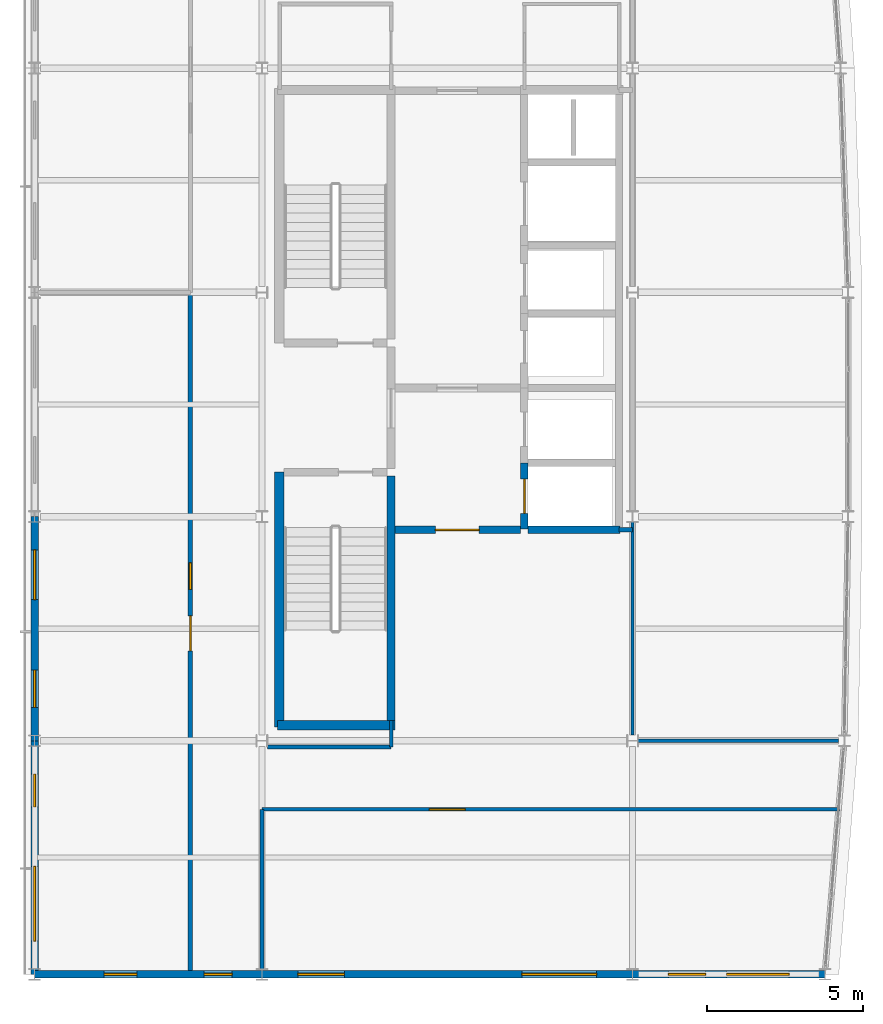
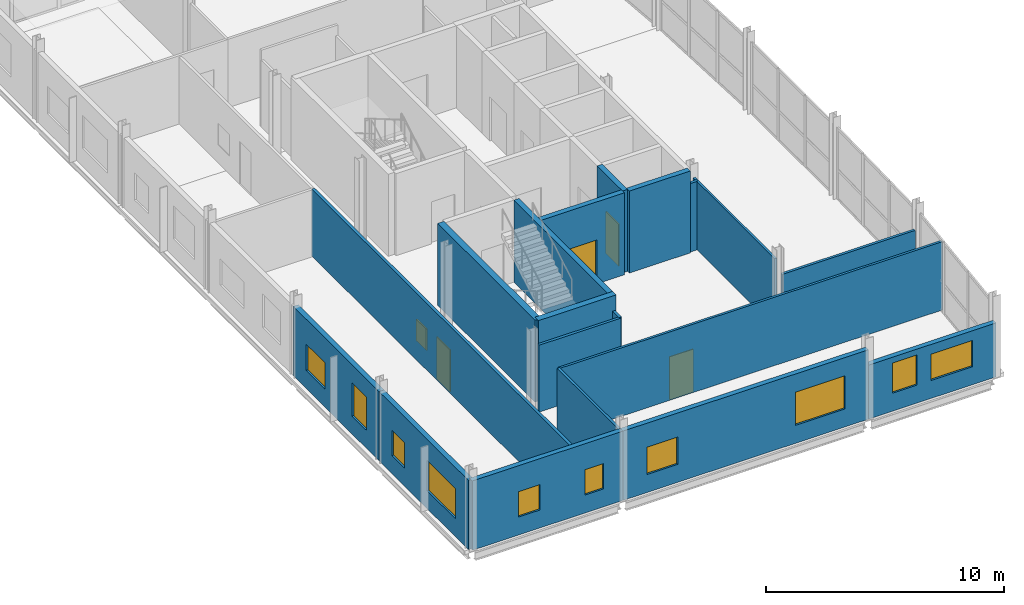
# One storey, part 11 of 16: 19 walls, 11 windows, 4 doors, 15 openings.
"""IFC4 building model written with IfcOpenShell, lengths in metres."""

from ifc_helpers import new_model, si_unit, direction, frame, frame_2d, origin, place, context, subcontext, project, spatial, rectangle, extrude, material, layer, layer_set, type_object, element, fill, save


model = new_model("IFC4")

# Units and contexts
model_context = context("Model", 3, precision=1e-05, world=origin(), true_north=direction((0.0, 1.0)))
body_context = subcontext(model_context, "Body", "Model", "MODEL_VIEW")
ifc_project = project(units=[si_unit("LENGTHUNIT", "METRE"), si_unit("AREAUNIT", "SQUARE_METRE"), si_unit("VOLUMEUNIT", "CUBIC_METRE"), si_unit("PLANEANGLEUNIT", "RADIAN"), si_unit("MASSUNIT", "GRAM", prefix="KILO")], contexts=[model_context])

# Site, building, storey
site_placement = place(None, origin())
site = spatial("IfcSite", under=ifc_project, at=site_placement, CompositionType="ELEMENT")
building_placement = place(site_placement, origin())
building = spatial("IfcBuilding", under=site, at=building_placement, Name="Quillay Park Conservatory", CompositionType="ELEMENT")
storey_placement = place(building_placement, frame((0.0, 0.0, 43.5)))
storey = spatial("IfcBuildingStorey", under=building, at=storey_placement, Name="L10", CompositionType="ELEMENT", Elevation=43.5)

# Wall
ifc_material_1 = material(Name="Steel-Stud Acoustic Gypsum Board Partition", Category="steel")
ifc_layer_1 = layer(ifc_material_1, 0.10009765625)
ifc_layer_set_1 = layer_set([ifc_layer_1], Name="ACOUSTIC GYPSUM PARTITION 100 (Steel-Stud Acoustic Gypsum Board Partition)")
wall_type_1 = type_object("IfcWallType", Name="ACOUSTIC GYPSUM PARTITION 100", PredefinedType="PARTITIONING", material=ifc_layer_set_1)
wall_1_placement = place(storey_placement, frame((19.75, 78.180419921875, 0.0), z_axis=(0.0, 0.0, 1.0), x_axis=(0.0, 1.0, 0.0)))
element("IfcWall", 1, at=wall_1_placement, inside=storey, type_object=wall_type_1, Name="L10 L10 Genomics Bioassay Wet Laboratory West Wall 1", PredefinedType="PARTITIONING", context=body_context, shape_type="SweptSolid", body=[
    extrude(rectangle(XDim=6.842529296875, YDim=0.10009765625, at=frame_2d((3.42138671875, 0.0))), origin(), (0.0, 0.0, 1.0), 3.501953125),
])

# Wall, opening, door
ifc_material_2 = material(Name="Steel-Stud Acoustic Gypsum Board Partition", Category="steel")
ifc_layer_2 = layer(ifc_material_2, 0.114990234375)
ifc_layer_set_2 = layer_set([ifc_layer_2], Name="ACOUSTIC GYPSUM PARTITION 115 (Steel-Stud Acoustic Gypsum Board Partition)")
wall_type_2 = type_object("IfcWallType", Name="ACOUSTIC GYPSUM PARTITION 115", PredefinedType="PARTITIONING", material=ifc_layer_set_2)
wall_2_placement = place(storey_placement, frame((7.85009765625, 75.800048828125, 0.0), z_axis=(0.0, 0.0, 1.0), x_axis=(1.0, 0.0, 0.0)))
wall_2 = element("IfcWall", 2, at=wall_2_placement, inside=storey, type_object=wall_type_2, Name="L10 L10 Transcriptomics Computation Studio North Door Wall", PredefinedType="PARTITIONING", context=body_context, shape_type="SweptSolid", body=[
    extrude(rectangle(XDim=18.56494140625, YDim=0.114990234375, at=frame_2d((9.282470703125, 0.0))), origin(), (0.0, 0.0, 1.0), 3.501953125),
])
opening_1_placement = place(wall_2_placement, frame((5.375, 0.0, 0.0)))
opening_1 = element("IfcOpeningElement", 3, at=opening_1_placement, cuts=wall_2, Name="Opening D-RM17", PredefinedType="OPENING", context=body_context, shape_type="SweptSolid", body=[
    extrude(rectangle(XDim=1.14990234375, YDim=2.199951171875, at=frame_2d((0.574951171875, 1.10009765625))), frame((0.0, 0.0576171875, 0.0), z_axis=(0.0, -1.0, 0.0), x_axis=(1.0, 0.0, 0.0)), (0.0, 0.0, 1.0), 0.114990234375),
])
ifc_material_3 = material(Name="Thermally Broken Anodised Aluminium 6063-T6", Category="aluminium")
door_type_1 = type_object("IfcDoorType", Name="SINGLE SWING DOOR 1150 X2200", OperationType="NOTDEFINED", PredefinedType="DOOR", material=ifc_material_3)
door_1_placement = place(opening_1_placement, origin())
door_1 = element("IfcDoor", 4, at=door_1_placement, inside=storey, type_object=door_type_1, Name="L10 Door to L10 Transcriptomics Computation Studio", OperationType="SINGLE_SWING_LEFT", OverallHeight=2.199951171875, OverallWidth=1.14990234375, PredefinedType="DOOR", context=body_context, shape_type="SweptSolid", body=[
    extrude(rectangle(XDim=1.14990234375, YDim=2.199951171875, at=frame_2d((0.574951171875, 1.10009765625))), frame((0.0, 0.02490234375, 0.0), z_axis=(0.0, -1.0, 0.0), x_axis=(1.0, 0.0, 0.0)), (0.0, 0.0, 1.0), 0.050048828125),
])
fill(opening_1, door_1)

# Walls
ifc_material_4 = material(Name="Steel-Stud Acoustic Gypsum Board Partition", Category="steel")
ifc_layer_3 = layer(ifc_material_4, 0.1201171875)
ifc_layer_set_3 = layer_set([ifc_layer_3], Name="ACOUSTIC GYPSUM PARTITION 120 (Steel-Stud Acoustic Gypsum Board Partition)")
wall_type_3 = type_object("IfcWallType", Name="ACOUSTIC GYPSUM PARTITION 120", PredefinedType="PARTITIONING", material=ifc_layer_set_3)
wall_3_placement = place(storey_placement, frame((7.85009765625, 70.677001953125, 0.0), z_axis=(0.0, 0.0, 1.0), x_axis=(0.0, 1.0, 0.0)))
element("IfcWall", 5, at=wall_3_placement, inside=storey, type_object=wall_type_3, Name="L10 South-Central West Wall", PredefinedType="PARTITIONING", context=body_context, shape_type="SweptSolid", body=[
    extrude(rectangle(XDim=5.123046875, YDim=0.1201171875, at=frame_2d((2.5615234375, 0.0))), origin(), (0.0, 0.0, 1.0), 3.501953125),
])
ifc_material_5 = material(Name="Steel-Stud Acoustic Gypsum Board Partition", Category="steel")
ifc_layer_4 = layer(ifc_material_5, 0.125)
ifc_layer_set_4 = layer_set([ifc_layer_4], Name="ACOUSTIC GYPSUM PARTITION 125 (Steel-Stud Acoustic Gypsum Board Partition)")
wall_type_4 = type_object("IfcWallType", Name="ACOUSTIC GYPSUM PARTITION 125", PredefinedType="PARTITIONING", material=ifc_layer_set_4)
wall_4_placement = place(storey_placement, frame((12.0, 77.800048828125, 0.0), z_axis=(0.0, 0.0, 1.0), x_axis=(0.0, 1.0, 0.0)))
element("IfcWall", 6, at=wall_4_placement, inside=storey, type_object=wall_type_4, Name="L10 Core South Vestibule West Wall", PredefinedType="PARTITIONING", context=body_context, shape_type="SweptSolid", body=[
    extrude(rectangle(XDim=0.849853515625, YDim=0.125, at=frame_2d((0.4248046875, 0.0))), origin(), (0.0, 0.0, 1.0), 3.426025390625),
])
wall_5_placement = place(storey_placement, frame((26.369384765625, 78.0, 0.0), z_axis=(0.0, 0.0, 1.0), x_axis=(-1.0, 0.0, 0.0)))
element("IfcWall", 7, at=wall_5_placement, inside=storey, type_object=wall_type_4, Name="L10 East Strip South Wall", PredefinedType="PARTITIONING", context=body_context, shape_type="SweptSolid", body=[
    extrude(rectangle(XDim=6.4423828125, YDim=0.125, at=frame_2d((3.22119140625, 0.0))), origin(), (0.0, 0.0, 1.0), 2.764892578125),
])
ifc_material_6 = material(Name="Steel-Stud Acoustic Gypsum Board Partition", Category="steel")
ifc_layer_5 = layer(ifc_material_6, 0.1298828125)
ifc_layer_set_5 = layer_set([ifc_layer_5], Name="ACOUSTIC GYPSUM PARTITION 130 (Steel-Stud Acoustic Gypsum Board Partition)")
wall_type_5 = type_object("IfcWallType", Name="ACOUSTIC GYPSUM PARTITION 130", PredefinedType="PARTITIONING", material=ifc_layer_set_5)
wall_6_placement = place(storey_placement, frame((8.027099609375, 77.800048828125, 0.0), z_axis=(0.0, 0.0, 1.0), x_axis=(1.0, 0.0, 0.0)))
element("IfcWall", 8, at=wall_6_placement, inside=storey, type_object=wall_type_5, Name="L10 Core South-West Return", PredefinedType="PARTITIONING", context=body_context, shape_type="SweptSolid", body=[
    extrude(rectangle(XDim=3.972900390625, YDim=0.1298828125, at=frame_2d((1.986328125, 0.0))), origin(), (0.0, 0.0, 1.0), 3.426025390625),
])
ifc_material_7 = material(Name="Steel-Stud Acoustic Gypsum Board Partition", Category="steel")
ifc_layer_6 = layer(ifc_material_7, 0.139892578125)
ifc_layer_set_6 = layer_set([ifc_layer_6], Name="ACOUSTIC GYPSUM PARTITION 140 (Steel-Stud Acoustic Gypsum Board Partition)")
wall_type_6 = type_object("IfcWallType", Name="ACOUSTIC GYPSUM PARTITION 140", PredefinedType="PARTITIONING", material=ifc_layer_set_6)
wall_7_placement = place(storey_placement, frame((19.320068359375, 84.77490234375, 0.0), z_axis=(0.0, 0.0, 1.0), x_axis=(1.0, 0.0, 0.0)))
element("IfcWall", 9, at=wall_7_placement, inside=storey, type_object=wall_type_6, Name="L10 Core South-East Closure", PredefinedType="PARTITIONING", context=body_context, shape_type="SweptSolid", body=[
    extrude(rectangle(XDim=0.429931640625, YDim=0.139892578125, at=frame_2d((0.21484375, 0.0))), origin(), (0.0, 0.0, 1.0), 3.501953125),
])

# Wall, openings, window, door
wall_8_placement = place(storey_placement, frame((5.550048828125, 70.625, 0.0), z_axis=(0.0, 0.0, 1.0), x_axis=(0.0, 1.0, 0.0)))
wall_8 = element("IfcWall", 10, at=wall_8_placement, inside=storey, type_object=wall_type_6, Name="L10 L10 Plant Physiology and Proteomics Laboratory Corridor Wall", PredefinedType="PARTITIONING", context=body_context, shape_type="SweptSolid", body=[
    extrude(rectangle(XDim=21.77490234375, YDim=0.139892578125, at=frame_2d((10.887451171875, 0.0))), origin(), (0.0, 0.0, 1.0), 3.426025390625),
])
opening_2_placement = place(wall_8_placement, frame((10.264892578125, 0.0, 0.0)))
opening_2 = element("IfcOpeningElement", 11, at=opening_2_placement, cuts=wall_8, Name="Opening D-RM12", PredefinedType="OPENING", context=body_context, shape_type="SweptSolid", body=[
    extrude(rectangle(XDim=1.1201171875, YDim=2.14990234375, at=frame_2d((0.56005859375, 1.074951171875))), frame((0.0, 0.06982421875, 0.0), z_axis=(0.0, -1.0, 0.0), x_axis=(1.0, 0.0, 0.0)), (0.0, 0.0, 1.0), 0.139892578125),
])
opening_3_placement = place(wall_8_placement, frame((12.235107421875, 0.0, 0.919921875)))
opening_3 = element("IfcOpeningElement", 12, at=opening_3_placement, cuts=wall_8, Name="Opening W-IN01", PredefinedType="OPENING", context=body_context, shape_type="SweptSolid", body=[
    extrude(rectangle(XDim=0.85009765625, YDim=1.10009765625, at=frame_2d((0.425048828125, 0.550048828125))), frame((0.0, 0.06982421875, 0.0), z_axis=(0.0, -1.0, 0.0), x_axis=(1.0, 0.0, 0.0)), (0.0, 0.0, 1.0), 0.139892578125),
])
ifc_material_8 = material(Name="Low-E Double Glazing (Laminated Tempered)", Category="glass")
window_type_1 = type_object("IfcWindowType", Name="OPERABLE VENT WINDOW 850 X1100", PartitioningType="SINGLE_PANEL", PredefinedType="WINDOW", material=ifc_material_8)
window_1_placement = place(opening_3_placement, origin())
window_1 = element("IfcWindow", 13, at=window_1_placement, inside=storey, type_object=window_type_1, Name="L10 Laboratory Vision Panel 037", OverallHeight=1.10009765625, OverallWidth=0.85009765625, PartitioningType="SINGLE_PANEL", PredefinedType="WINDOW", context=body_context, shape_type="SweptSolid", body=[
    extrude(rectangle(XDim=0.85009765625, YDim=1.10009765625, at=frame_2d((0.425048828125, 0.550048828125))), frame((0.0, 0.030029296875, 0.0), z_axis=(0.0, -1.0, 0.0), x_axis=(1.0, 0.0, 0.0)), (0.0, 0.0, 1.0), 0.06005859375),
])
fill(opening_3, window_1)
ifc_material_9 = material(Name="Thermally Broken Anodised Aluminium 6063-T6", Category="aluminium")
door_type_2 = type_object("IfcDoorType", Name="SINGLE SWING DOOR 1120 X2150", OperationType="NOTDEFINED", PredefinedType="DOOR", material=ifc_material_9)
door_2_placement = place(opening_2_placement, origin())
door_2 = element("IfcDoor", 14, at=door_2_placement, inside=storey, type_object=door_type_2, Name="L10 Door to L10 Plant Physiology and Proteomics Laboratory", OperationType="SINGLE_SWING_RIGHT", OverallHeight=2.14990234375, OverallWidth=1.1201171875, PredefinedType="DOOR", context=body_context, shape_type="SweptSolid", body=[
    extrude(rectangle(XDim=1.1201171875, YDim=2.14990234375, at=frame_2d((0.56005859375, 1.074951171875))), frame((0.0, 0.02490234375, 0.0), z_axis=(0.0, -1.0, 0.0), x_axis=(1.0, 0.0, 0.0)), (0.0, 0.0, 1.0), 0.050048828125),
])
fill(opening_2, door_2)

# Wall
ifc_material_10 = material(Name="Concrete C40/50 (NCh170 Concrete C40/50)", Category="concrete")
ifc_layer_7 = layer(ifc_material_10, 0.25)
ifc_layer_set_7 = layer_set([ifc_layer_7], Name="CORE SHEAR WALL 250 (Concrete C40/50 (NCh170 Concrete C40/50))")
wall_type_7 = type_object("IfcWallType", Name="CORE SHEAR WALL 250", PredefinedType="SHEAR", material=ifc_layer_set_7)
wall_9_placement = place(storey_placement, frame((11.9951171875, 78.64990234375, 0.0), z_axis=(0.0, 0.0, 1.0), x_axis=(0.0, 1.0, 0.0)))
element("IfcWall", 15, at=wall_9_placement, inside=storey, type_object=wall_type_7, Name="L10 Core Shear Wall WL-T2E-L10", PredefinedType="SHEAR", context=body_context, shape_type="SweptSolid", body=[
    extrude(rectangle(XDim=7.85009765625, YDim=0.25, at=frame_2d((3.925048828125, 0.0))), origin(), (0.0, 0.0, 1.0), 4.199951171875),
])

# Wall, opening, door
wall_10_placement = place(storey_placement, frame((12.1201171875, 84.77490234375, 0.0), z_axis=(0.0, 0.0, 1.0), x_axis=(1.0, 0.0, 0.0)))
wall_10 = element("IfcWall", 16, at=wall_10_placement, inside=storey, type_object=wall_type_7, Name="L10 Core Shear Wall WL-FFS-L10", PredefinedType="SHEAR", context=body_context, shape_type="SweptSolid", body=[
    extrude(rectangle(XDim=4.02978515625, YDim=0.25, at=frame_2d((2.014892578125, 0.0))), origin(), (0.0, 0.0, 1.0), 4.199951171875),
])
opening_4_placement = place(wall_10_placement, frame((1.300048828125, 0.0, 0.0)))
opening_4 = element("IfcOpeningElement", 17, at=opening_4_placement, cuts=wall_10, Name="Opening D-LB03", PredefinedType="OPENING", context=body_context, shape_type="SweptSolid", body=[
    extrude(rectangle(XDim=1.39990234375, YDim=2.25, at=frame_2d((0.699951171875, 1.125))), frame((0.0, 0.125, 0.0), z_axis=(0.0, -1.0, 0.0), x_axis=(1.0, 0.0, 0.0)), (0.0, 0.0, 1.0), 0.25),
])
ifc_material_11 = material(Name="Steel ASTM A572 Grade 50", Category="steel")
door_type_3 = type_object("IfcDoorType", Name="FIRE RATED LOBBY DOOR 1400 X2250", OperationType="NOTDEFINED", PredefinedType="DOOR", material=ifc_material_11)
door_3_placement = place(opening_4_placement, origin())
door_3 = element("IfcDoor", 18, at=door_3_placement, inside=storey, type_object=door_type_3, Name="L10 South Core Lobby Door", OperationType="SINGLE_SWING_RIGHT", OverallHeight=2.25, OverallWidth=1.39990234375, PredefinedType="DOOR", context=body_context, shape_type="SweptSolid", body=[
    extrude(rectangle(XDim=1.39990234375, YDim=2.25, at=frame_2d((0.699951171875, 1.125))), frame((0.0, 0.02490234375, 0.0), z_axis=(0.0, -1.0, 0.0), x_axis=(1.0, 0.0, 0.0)), (0.0, 0.0, 1.0), 0.050048828125),
])
fill(opening_4, door_3)

# Wall
wall_11_placement = place(storey_placement, frame((16.39990234375, 84.77490234375, 0.0), z_axis=(0.0, 0.0, 1.0), x_axis=(1.0, 0.0, 0.0)))
element("IfcWall", 19, at=wall_11_placement, inside=storey, type_object=wall_type_7, Name="L10 Core Shear Wall WL-LFSO-L10", PredefinedType="SHEAR", context=body_context, shape_type="SweptSolid", body=[
    extrude(rectangle(XDim=2.9501953125, YDim=0.25, at=frame_2d((1.47509765625, 0.0))), origin(), (0.0, 0.0, 1.0), 4.199951171875),
])

# Wall, opening, door
wall_12_placement = place(storey_placement, frame((16.27490234375, 84.800048828125, 0.0), z_axis=(0.0, 0.0, 1.0), x_axis=(0.0, 1.0, 0.0)))
wall_12 = element("IfcWall", 20, at=wall_12_placement, inside=storey, type_object=wall_type_7, Name="L10 Core Shear Wall WL-LFFR-L10-LF-FF1", PredefinedType="SHEAR", context=body_context, shape_type="SweptSolid", body=[
    extrude(rectangle(XDim=2.125, YDim=0.25, at=frame_2d((1.0625, 0.0))), origin(), (0.0, 0.0, 1.0), 4.199951171875),
])
opening_5_placement = place(wall_12_placement, frame((0.5, 0.0, 0.0)))
opening_5 = element("IfcOpeningElement", 21, at=opening_5_placement, cuts=wall_12, Name="Opening LD01", PredefinedType="OPENING", context=body_context, shape_type="SweptSolid", body=[
    extrude(rectangle(XDim=1.10009765625, YDim=2.14990234375, at=frame_2d((0.550048828125, 1.074951171875))), frame((0.0, 0.125, 0.0), z_axis=(0.0, -1.0, 0.0), x_axis=(1.0, 0.0, 0.0)), (0.0, 0.0, 1.0), 0.25),
])
ifc_material_12 = material(Name="Steel ASTM A572 Grade 50", Category="steel")
door_type_4 = type_object("IfcDoorType", Name="LIFT LANDING SLIDING DOOR 1100 X2150", OperationType="NOTDEFINED", PredefinedType="DOOR", material=ifc_material_12)
door_4_placement = place(opening_5_placement, origin())
door_4 = element("IfcDoor", 22, at=door_4_placement, inside=storey, type_object=door_type_4, Name="L10 LF-FF1 Lift Landing Door LD01", OperationType="SLIDING_TO_LEFT", OverallHeight=2.14990234375, OverallWidth=1.10009765625, PredefinedType="DOOR", context=body_context, shape_type="SweptSolid", body=[
    extrude(rectangle(XDim=1.10009765625, YDim=2.14990234375, at=frame_2d((0.550048828125, 1.074951171875))), frame((0.0, 0.02490234375, 0.0), z_axis=(0.0, -1.0, 0.0), x_axis=(1.0, 0.0, 0.0)), (0.0, 0.0, 1.0), 0.050048828125),
])
fill(opening_5, door_4)

# Walls
ifc_material_13 = material(Name="Concrete C40/50 (NCh170 Concrete C40/50)", Category="concrete")
ifc_layer_8 = layer(ifc_material_13, 0.300048828125)
ifc_layer_set_8 = layer_set([ifc_layer_8], Name="CORE SHEAR WALL 300 (Concrete C40/50 (NCh170 Concrete C40/50))")
wall_type_8 = type_object("IfcWallType", Name="CORE SHEAR WALL 300", PredefinedType="SHEAR", material=ifc_layer_set_8)
wall_13_placement = place(storey_placement, frame((8.39990234375, 78.449951171875, 0.0), z_axis=(0.0, 0.0, 1.0), x_axis=(0.0, 1.0, 0.0)))
element("IfcWall", 23, at=wall_13_placement, inside=storey, type_object=wall_type_8, Name="L10 Core Shear Wall WL-TCW-S-L10", PredefinedType="SHEAR", context=body_context, shape_type="SweptSolid", body=[
    extrude(rectangle(XDim=8.175048828125, YDim=0.300048828125, at=frame_2d((4.08740234375, 0.0))), origin(), (0.0, 0.0, 1.0), 4.199951171875),
])
wall_14_placement = place(storey_placement, frame((8.35009765625, 78.5, 0.0), z_axis=(0.0, 0.0, 1.0), x_axis=(1.0, 0.0, 0.0)))
element("IfcWall", 24, at=wall_14_placement, inside=storey, type_object=wall_type_8, Name="L10 Core Shear Wall WL-TCS-L10", PredefinedType="SHEAR", context=body_context, shape_type="SweptSolid", body=[
    extrude(rectangle(XDim=3.77001953125, YDim=0.300048828125, at=frame_2d((1.885009765625, 0.0))), origin(), (0.0, 0.0, 1.0), 4.199951171875),
])

# Wall, openings, windows
ifc_material_14 = material(Name="Glass-Fibre Reinforced Concrete (GRC) Cladding", Category="concrete")
ifc_layer_9 = layer(ifc_material_14, 0.239990234375)
ifc_layer_set_9 = layer_set([ifc_layer_9], Name="EXTERIOR SOLID WALL 240 (Glass-Fibre Reinforced Concrete (GRC) Cladding)")
wall_type_9 = type_object("IfcWallType", Name="EXTERIOR SOLID WALL 240", PredefinedType="SOLIDWALL", material=ifc_layer_set_9)
wall_15_placement = place(storey_placement, frame((0.550048828125, 70.5, 0.0), z_axis=(0.0, 0.0, 1.0), x_axis=(0.0, 1.0, 0.0)))
wall_15 = element("IfcWall", 25, at=wall_15_placement, inside=storey, type_object=wall_type_9, Name="L10 External Wall WL-EXT-V4W-L10-0", PredefinedType="SOLIDWALL", context=body_context, shape_type="SweptSolid", body=[
    extrude(rectangle(XDim=7.5, YDim=0.239990234375, at=frame_2d((3.75, 0.0))), origin(), (0.0, 0.0, 1.0), 3.552001953125),
])
opening_6_placement = place(wall_15_placement, frame((1.070068359375, 0.0, 0.919921875)))
opening_6 = element("IfcOpeningElement", 26, at=opening_6_placement, cuts=wall_15, Name="Opening W-11", PredefinedType="OPENING", context=body_context, shape_type="SweptSolid", body=[
    extrude(rectangle(XDim=2.39990234375, YDim=1.550048828125, at=frame_2d((1.199951171875, 0.77490234375))), frame((0.0, 0.1201171875, 0.0), z_axis=(0.0, -1.0, 0.0), x_axis=(1.0, 0.0, 0.0)), (0.0, 0.0, 1.0), 0.239990234375),
])
opening_7_placement = place(wall_15_placement, frame((5.3798828125, 0.0, 0.919921875)))
opening_7 = element("IfcOpeningElement", 27, at=opening_7_placement, cuts=wall_15, Name="Opening W-18", PredefinedType="OPENING", context=body_context, shape_type="SweptSolid", body=[
    extrude(rectangle(XDim=1.050048828125, YDim=1.300048828125, at=frame_2d((0.52490234375, 0.64990234375))), frame((0.0, 0.1201171875, 0.0), z_axis=(0.0, -1.0, 0.0), x_axis=(1.0, 0.0, 0.0)), (0.0, 0.0, 1.0), 0.239990234375),
])
ifc_material_15 = material(Name="Low-E Double Glazing (Laminated Tempered)", Category="glass")
window_type_2 = type_object("IfcWindowType", Name="FIXED CASEMENT WINDOW 1050 X1300", PartitioningType="SINGLE_PANEL", PredefinedType="WINDOW", material=ifc_material_15)
window_2_placement = place(opening_7_placement, origin())
window_2 = element("IfcWindow", 28, at=window_2_placement, inside=storey, type_object=window_type_2, Name="L10 Exterior Window 0237", OverallHeight=1.300048828125, OverallWidth=1.050048828125, PartitioningType="SINGLE_PANEL", PredefinedType="WINDOW", context=body_context, shape_type="SweptSolid", body=[
    extrude(rectangle(XDim=1.050048828125, YDim=1.300048828125, at=frame_2d((0.52490234375, 0.64990234375))), frame((0.0, 0.030029296875, 0.0), z_axis=(0.0, -1.0, 0.0), x_axis=(1.0, 0.0, 0.0)), (0.0, 0.0, 1.0), 0.06005859375),
])
fill(opening_7, window_2)
ifc_material_16 = material(Name="Low-E Double Glazing (Laminated Tempered)", Category="glass")
window_type_3 = type_object("IfcWindowType", Name="FIXED CASEMENT WINDOW 2400 X1550", PartitioningType="DOUBLE_PANEL_VERTICAL", PredefinedType="WINDOW", material=ifc_material_16)
window_3_placement = place(opening_6_placement, origin())
window_3 = element("IfcWindow", 29, at=window_3_placement, inside=storey, type_object=window_type_3, Name="L10 Exterior Window 0236", OverallHeight=1.550048828125, OverallWidth=2.39990234375, PartitioningType="DOUBLE_PANEL_VERTICAL", PredefinedType="WINDOW", context=body_context, shape_type="SweptSolid", body=[
    extrude(rectangle(XDim=2.39990234375, YDim=1.550048828125, at=frame_2d((1.199951171875, 0.77490234375))), frame((0.0, 0.030029296875, 0.0), z_axis=(0.0, -1.0, 0.0), x_axis=(1.0, 0.0, 0.0)), (0.0, 0.0, 1.0), 0.06005859375),
])
fill(opening_6, window_3)

wall_16_placement = place(storey_placement, frame((0.550048828125, 78.0, 0.0), z_axis=(0.0, 0.0, 1.0), x_axis=(0.0, 1.0, 0.0)))
wall_16 = element("IfcWall", 30, at=wall_16_placement, inside=storey, type_object=wall_type_9, Name="L10 External Wall WL-EXT-V4W-L10-1", PredefinedType="SOLIDWALL", context=body_context, shape_type="SweptSolid", body=[
    extrude(rectangle(XDim=7.199951171875, YDim=0.239990234375, at=frame_2d((3.60009765625, 0.0))), origin(), (0.0, 0.0, 1.0), 3.552001953125),
])
opening_8_placement = place(wall_16_placement, frame((1.070068359375, 0.0, 0.919921875)))
opening_8 = element("IfcOpeningElement", 31, at=opening_8_placement, cuts=wall_16, Name="Opening W-12", PredefinedType="OPENING", context=body_context, shape_type="SweptSolid", body=[
    extrude(rectangle(XDim=1.199951171875, YDim=1.699951171875, at=frame_2d((0.60009765625, 0.85009765625))), frame((0.0, 0.1201171875, 0.0), z_axis=(0.0, -1.0, 0.0), x_axis=(1.0, 0.0, 0.0)), (0.0, 0.0, 1.0), 0.239990234375),
])
opening_9_placement = place(wall_16_placement, frame((4.530029296875, 0.0, 0.919921875)))
opening_9 = element("IfcOpeningElement", 32, at=opening_9_placement, cuts=wall_16, Name="Opening W-19", PredefinedType="OPENING", context=body_context, shape_type="SweptSolid", body=[
    extrude(rectangle(XDim=1.60009765625, YDim=1.35009765625, at=frame_2d((0.800048828125, 0.675048828125))), frame((0.0, 0.1201171875, 0.0), z_axis=(0.0, -1.0, 0.0), x_axis=(1.0, 0.0, 0.0)), (0.0, 0.0, 1.0), 0.239990234375),
])
ifc_material_17 = material(Name="Low-E Double Glazing (Laminated Tempered)", Category="glass")
window_type_4 = type_object("IfcWindowType", Name="FIXED CASEMENT WINDOW 1200 X1700", PartitioningType="SINGLE_PANEL", PredefinedType="WINDOW", material=ifc_material_17)
window_4_placement = place(opening_8_placement, origin())
window_4 = element("IfcWindow", 33, at=window_4_placement, inside=storey, type_object=window_type_4, Name="L10 Exterior Window 0238", OverallHeight=1.699951171875, OverallWidth=1.199951171875, PartitioningType="SINGLE_PANEL", PredefinedType="WINDOW", context=body_context, shape_type="SweptSolid", body=[
    extrude(rectangle(XDim=1.199951171875, YDim=1.699951171875, at=frame_2d((0.60009765625, 0.85009765625))), frame((0.0, 0.030029296875, 0.0), z_axis=(0.0, -1.0, 0.0), x_axis=(1.0, 0.0, 0.0)), (0.0, 0.0, 1.0), 0.06005859375),
])
fill(opening_8, window_4)
ifc_material_18 = material(Name="Low-E Double Glazing (Laminated Tempered)", Category="glass")
window_type_5 = type_object("IfcWindowType", Name="FIXED CASEMENT WINDOW 1600 X1350", PartitioningType="DOUBLE_PANEL_VERTICAL", PredefinedType="WINDOW", material=ifc_material_18)
window_5_placement = place(opening_9_placement, origin())
window_5 = element("IfcWindow", 34, at=window_5_placement, inside=storey, type_object=window_type_5, Name="L10 Exterior Window 0239", OverallHeight=1.35009765625, OverallWidth=1.60009765625, PartitioningType="DOUBLE_PANEL_VERTICAL", PredefinedType="WINDOW", context=body_context, shape_type="SweptSolid", body=[
    extrude(rectangle(XDim=1.60009765625, YDim=1.35009765625, at=frame_2d((0.800048828125, 0.675048828125))), frame((0.0, 0.030029296875, 0.0), z_axis=(0.0, -1.0, 0.0), x_axis=(1.0, 0.0, 0.0)), (0.0, 0.0, 1.0), 0.06005859375),
])
fill(opening_9, window_5)

wall_17_placement = place(storey_placement, frame((7.85009765625, 70.5, 0.0), z_axis=(0.0, 0.0, 1.0), x_axis=(-1.0, 0.0, 0.0)))
wall_17 = element("IfcWall", 35, at=wall_17_placement, inside=storey, type_object=wall_type_9, Name="L10 External Wall WL-EXT-V4S1-L10", PredefinedType="SOLIDWALL", context=body_context, shape_type="SweptSolid", body=[
    extrude(rectangle(XDim=7.300048828125, YDim=0.239990234375, at=frame_2d((3.64990234375, 0.0))), origin(), (0.0, 0.0, 1.0), 3.552001953125),
])
opening_10_placement = place(wall_17_placement, frame((0.955078125, 0.0, 0.919921875)))
opening_10 = element("IfcOpeningElement", 36, at=opening_10_placement, cuts=wall_17, Name="Opening W-17", PredefinedType="OPENING", context=body_context, shape_type="SweptSolid", body=[
    extrude(rectangle(XDim=0.89990234375, YDim=1.300048828125, at=frame_2d((0.449951171875, 0.64990234375))), frame((0.0, 0.1201171875, 0.0), z_axis=(0.0, -1.0, 0.0), x_axis=(1.0, 0.0, 0.0)), (0.0, 0.0, 1.0), 0.239990234375),
])
opening_11_placement = place(wall_17_placement, frame((4.02001953125, 0.0, 0.919921875)))
opening_11 = element("IfcOpeningElement", 37, at=opening_11_placement, cuts=wall_17, Name="Opening W-18", PredefinedType="OPENING", context=body_context, shape_type="SweptSolid", body=[
    extrude(rectangle(XDim=1.050048828125, YDim=1.300048828125, at=frame_2d((0.52490234375, 0.64990234375))), frame((0.0, 0.1201171875, 0.0), z_axis=(0.0, -1.0, 0.0), x_axis=(1.0, 0.0, 0.0)), (0.0, 0.0, 1.0), 0.239990234375),
])
window_6_placement = place(opening_11_placement, origin())
window_6 = element("IfcWindow", 38, at=window_6_placement, inside=storey, type_object=window_type_2, Name="L10 Exterior Window 0248", OverallHeight=1.300048828125, OverallWidth=1.050048828125, PartitioningType="SINGLE_PANEL", PredefinedType="WINDOW", context=body_context, shape_type="SweptSolid", body=[
    extrude(rectangle(XDim=1.050048828125, YDim=1.300048828125, at=frame_2d((0.52490234375, 0.64990234375))), frame((0.0, 0.030029296875, 0.0), z_axis=(0.0, -1.0, 0.0), x_axis=(1.0, 0.0, 0.0)), (0.0, 0.0, 1.0), 0.06005859375),
])
fill(opening_11, window_6)
ifc_material_19 = material(Name="Low-E Double Glazing (Laminated Tempered)", Category="glass")
window_type_6 = type_object("IfcWindowType", Name="FIXED CASEMENT WINDOW 900 X1300", PartitioningType="SINGLE_PANEL", PredefinedType="WINDOW", material=ifc_material_19)
window_7_placement = place(opening_10_placement, origin())
window_7 = element("IfcWindow", 39, at=window_7_placement, inside=storey, type_object=window_type_6, Name="L10 Exterior Window 0247", OverallHeight=1.300048828125, OverallWidth=0.89990234375, PartitioningType="SINGLE_PANEL", PredefinedType="WINDOW", context=body_context, shape_type="SweptSolid", body=[
    extrude(rectangle(XDim=0.89990234375, YDim=1.300048828125, at=frame_2d((0.449951171875, 0.64990234375))), frame((0.0, 0.030029296875, 0.0), z_axis=(0.0, -1.0, 0.0), x_axis=(1.0, 0.0, 0.0)), (0.0, 0.0, 1.0), 0.06005859375),
])
fill(opening_10, window_7)

wall_18_placement = place(storey_placement, frame((19.75, 70.5, 0.0), z_axis=(0.0, 0.0, 1.0), x_axis=(-1.0, 0.0, 0.0)))
wall_18 = element("IfcWall", 40, at=wall_18_placement, inside=storey, type_object=wall_type_9, Name="L10 External Wall WL-EXT-V4S2-L10", PredefinedType="SOLIDWALL", context=body_context, shape_type="SweptSolid", body=[
    extrude(rectangle(XDim=11.89990234375, YDim=0.239990234375, at=frame_2d((5.949951171875, 0.0))), origin(), (0.0, 0.0, 1.0), 3.552001953125),
])
opening_12_placement = place(wall_18_placement, frame((1.14990234375, 0.0, 0.919921875)))
opening_12 = element("IfcOpeningElement", 41, at=opening_12_placement, cuts=wall_18, Name="Opening W-16", PredefinedType="OPENING", context=body_context, shape_type="SweptSolid", body=[
    extrude(rectangle(XDim=2.39990234375, YDim=1.699951171875, at=frame_2d((1.199951171875, 0.85009765625))), frame((0.0, 0.1201171875, 0.0), z_axis=(0.0, -1.0, 0.0), x_axis=(1.0, 0.0, 0.0)), (0.0, 0.0, 1.0), 0.239990234375),
])
opening_13_placement = place(wall_18_placement, frame((9.25, 0.0, 0.919921875)))
opening_13 = element("IfcOpeningElement", 42, at=opening_13_placement, cuts=wall_18, Name="Opening W-03", PredefinedType="OPENING", context=body_context, shape_type="SweptSolid", body=[
    extrude(rectangle(XDim=1.5, YDim=1.39990234375, at=frame_2d((0.75, 0.699951171875))), frame((0.0, 0.1201171875, 0.0), z_axis=(0.0, -1.0, 0.0), x_axis=(1.0, 0.0, 0.0)), (0.0, 0.0, 1.0), 0.239990234375),
])
ifc_material_20 = material(Name="Low-E Double Glazing (Laminated Tempered)", Category="glass")
window_type_7 = type_object("IfcWindowType", Name="FIXED CASEMENT WINDOW 1500 X1400", PartitioningType="SINGLE_PANEL", PredefinedType="WINDOW", material=ifc_material_20)
window_8_placement = place(opening_13_placement, origin())
window_8 = element("IfcWindow", 43, at=window_8_placement, inside=storey, type_object=window_type_7, Name="L10 Exterior Window 0250", OverallHeight=1.39990234375, OverallWidth=1.5, PartitioningType="SINGLE_PANEL", PredefinedType="WINDOW", context=body_context, shape_type="SweptSolid", body=[
    extrude(rectangle(XDim=1.5, YDim=1.39990234375, at=frame_2d((0.75, 0.699951171875))), frame((0.0, 0.030029296875, 0.0), z_axis=(0.0, -1.0, 0.0), x_axis=(1.0, 0.0, 0.0)), (0.0, 0.0, 1.0), 0.06005859375),
])
fill(opening_13, window_8)
ifc_material_21 = material(Name="Low-E Double Glazing (Laminated Tempered)", Category="glass")
window_type_8 = type_object("IfcWindowType", Name="FIXED CASEMENT WINDOW 2400 X1700", PartitioningType="DOUBLE_PANEL_VERTICAL", PredefinedType="WINDOW", material=ifc_material_21)
window_9_placement = place(opening_12_placement, origin())
window_9 = element("IfcWindow", 44, at=window_9_placement, inside=storey, type_object=window_type_8, Name="L10 Exterior Window 0249", OverallHeight=1.699951171875, OverallWidth=2.39990234375, PartitioningType="DOUBLE_PANEL_VERTICAL", PredefinedType="WINDOW", context=body_context, shape_type="SweptSolid", body=[
    extrude(rectangle(XDim=2.39990234375, YDim=1.699951171875, at=frame_2d((1.199951171875, 0.85009765625))), frame((0.0, 0.030029296875, 0.0), z_axis=(0.0, -1.0, 0.0), x_axis=(1.0, 0.0, 0.0)), (0.0, 0.0, 1.0), 0.06005859375),
])
fill(opening_12, window_9)

wall_19_placement = place(storey_placement, frame((25.925048828125, 70.5, 0.0), z_axis=(0.0, 0.0, 1.0), x_axis=(-1.0, 0.0, 0.0)))
wall_19 = element("IfcWall", 45, at=wall_19_placement, inside=storey, type_object=wall_type_9, Name="L10 External Wall WL-EXT-V4S3-L10", PredefinedType="SOLIDWALL", context=body_context, shape_type="SweptSolid", body=[
    extrude(rectangle(XDim=6.175048828125, YDim=0.239990234375, at=frame_2d((3.08740234375, 0.0))), origin(), (0.0, 0.0, 1.0), 2.764892578125),
])
opening_14_placement = place(wall_19_placement, frame((1.14990234375, 0.0, 0.919921875)))
opening_14 = element("IfcOpeningElement", 46, at=opening_14_placement, cuts=wall_19, Name="Opening W-20", PredefinedType="OPENING", context=body_context, shape_type="SweptSolid", body=[
    extrude(rectangle(XDim=2.0, YDim=1.35009765625, at=frame_2d((1.0, 0.675048828125))), frame((0.0, 0.1201171875, 0.0), z_axis=(0.0, -1.0, 0.0), x_axis=(1.0, 0.0, 0.0)), (0.0, 0.0, 1.0), 0.239990234375),
])
opening_15_placement = place(wall_19_placement, frame((3.824951171875, 0.0, 0.919921875)))
opening_15 = element("IfcOpeningElement", 47, at=opening_15_placement, cuts=wall_19, Name="Opening W-07", PredefinedType="OPENING", context=body_context, shape_type="SweptSolid", body=[
    extrude(rectangle(XDim=1.199951171875, YDim=1.550048828125, at=frame_2d((0.60009765625, 0.77490234375))), frame((0.0, 0.1201171875, 0.0), z_axis=(0.0, -1.0, 0.0), x_axis=(1.0, 0.0, 0.0)), (0.0, 0.0, 1.0), 0.239990234375),
])
ifc_material_22 = material(Name="Low-E Double Glazing (Laminated Tempered)", Category="glass")
window_type_9 = type_object("IfcWindowType", Name="FIXED CASEMENT WINDOW 1200 X1550", PartitioningType="SINGLE_PANEL", PredefinedType="WINDOW", material=ifc_material_22)
window_10_placement = place(opening_15_placement, origin())
window_10 = element("IfcWindow", 48, at=window_10_placement, inside=storey, type_object=window_type_9, Name="L10 Exterior Window 0252", OverallHeight=1.550048828125, OverallWidth=1.199951171875, PartitioningType="SINGLE_PANEL", PredefinedType="WINDOW", context=body_context, shape_type="SweptSolid", body=[
    extrude(rectangle(XDim=1.199951171875, YDim=1.550048828125, at=frame_2d((0.60009765625, 0.77490234375))), frame((0.0, 0.030029296875, 0.0), z_axis=(0.0, -1.0, 0.0), x_axis=(1.0, 0.0, 0.0)), (0.0, 0.0, 1.0), 0.06005859375),
])
fill(opening_15, window_10)
ifc_material_23 = material(Name="Low-E Double Glazing (Laminated Tempered)", Category="glass")
window_type_10 = type_object("IfcWindowType", Name="FIXED CASEMENT WINDOW 2000 X1350", PartitioningType="DOUBLE_PANEL_VERTICAL", PredefinedType="WINDOW", material=ifc_material_23)
window_11_placement = place(opening_14_placement, origin())
window_11 = element("IfcWindow", 49, at=window_11_placement, inside=storey, type_object=window_type_10, Name="L10 Exterior Window 0251", OverallHeight=1.35009765625, OverallWidth=2.0, PartitioningType="DOUBLE_PANEL_VERTICAL", PredefinedType="WINDOW", context=body_context, shape_type="SweptSolid", body=[
    extrude(rectangle(XDim=2.0, YDim=1.35009765625, at=frame_2d((1.0, 0.675048828125))), frame((0.0, 0.030029296875, 0.0), z_axis=(0.0, -1.0, 0.0), x_axis=(1.0, 0.0, 0.0)), (0.0, 0.0, 1.0), 0.06005859375),
])
fill(opening_14, window_11)

save(model, "model.ifc")
